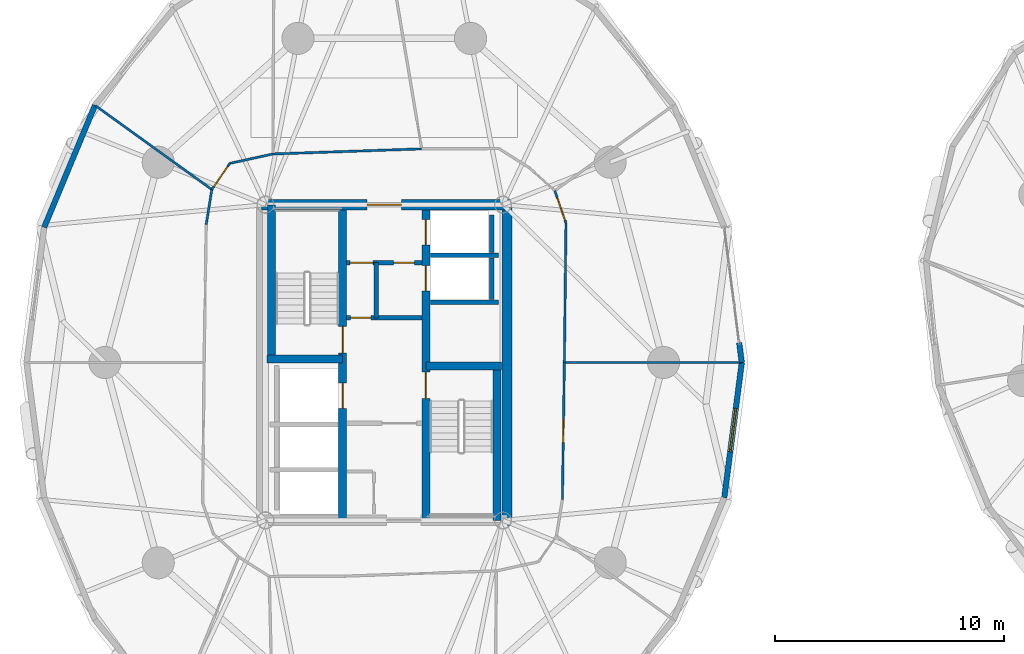
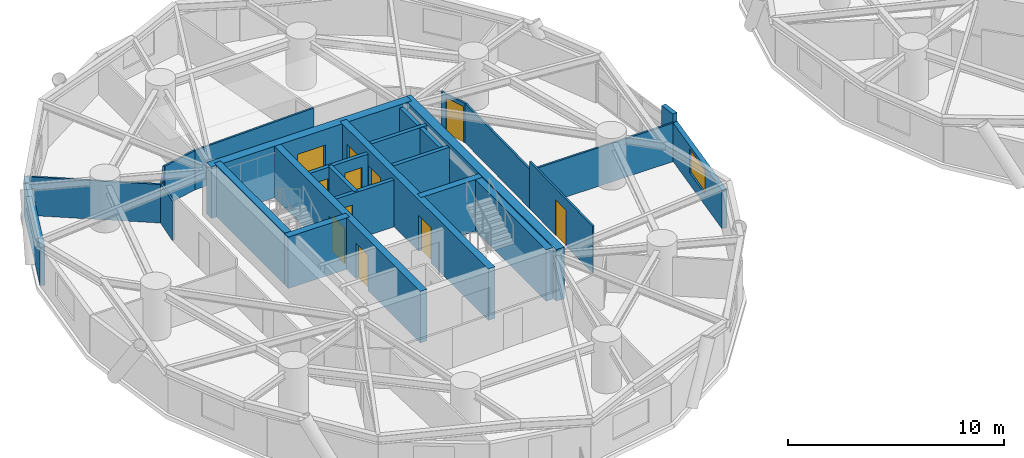
# One storey, part 10 of 17: 27 walls, 12 doors, 1 window, 13 openings.
"""IFC4 building model written with IfcOpenShell, lengths in metres."""

from ifc_helpers import new_model, si_unit, direction, frame, frame_2d, origin, place, context, subcontext, project, spatial, rectangle, extrude, source, transform, mapped, material, layer, layer_set, type_object, element, fill, save


model = new_model("IFC4")

# Units and contexts
model_context = context("Model", 3, precision=1e-05, world=origin(), true_north=direction((0.0, 1.0)))
body_context = subcontext(model_context, "Body", "Model", "MODEL_VIEW")
ifc_project = project(units=[si_unit("LENGTHUNIT", "METRE"), si_unit("AREAUNIT", "SQUARE_METRE"), si_unit("VOLUMEUNIT", "CUBIC_METRE"), si_unit("PLANEANGLEUNIT", "RADIAN"), si_unit("MASSUNIT", "GRAM", prefix="KILO")], contexts=[model_context])

# Site, building, storey
site_placement = place(None, origin())
site = spatial("IfcSite", under=ifc_project, at=site_placement, CompositionType="ELEMENT")
building_placement = place(site_placement, origin())
building = spatial("IfcBuilding", under=site, at=building_placement, Name="Cununo Teusaquillo Station Towers", CompositionType="ELEMENT")
storey_placement = place(building_placement, frame((0.0, 0.0, 96.340087890625)))
storey = spatial("IfcBuildingStorey", under=building, at=storey_placement, Name="L30", CompositionType="ELEMENT", Elevation=96.340087890625)

# Walls
ifc_material_1 = material(Name="Concrete C50/60", Category="concrete")
ifc_layer_1 = layer(ifc_material_1, 0.199951171875)
ifc_layer_set_1 = layer_set([ifc_layer_1], Name="Concrete C50/60")
wall_type_1 = type_object("IfcWallType", Name="WL-CORE-200", PredefinedType="SHEAR", material=ifc_layer_set_1)
for number, where, z_axis, x_axis, name in (
    (1, (18.510009765625, 27.1298828125, 0.0), (0.0, 0.0, 1.0), (1.0, 0.0, 0.0), "L30 Tower A Low-Rise Lift Hoistway South Shear Wall"),
    (2, (18.510009765625, 29.175048828125, 0.0), (0.0, 0.0, 1.0), (1.0, 0.0, 0.0), "L30 Tower A Low-Rise Lift Hoistway Divider Shear Wall"),
):
    element("IfcWall", number, at=place(storey_placement, frame(where, z_axis=z_axis, x_axis=x_axis)), inside=storey, type_object=wall_type_1, Name=name, PredefinedType="SHEAR", context=body_context, shape_type="SweptSolid", body=[
        extrude(rectangle(XDim=2.969970703125, YDim=0.199951171875, at=frame_2d((1.48486328125, 0.0))), origin(), (0.0, 0.0, 1.0), 2.909912109375),
    ])
wall_1_placement = place(storey_placement, frame((21.179931640625, 27.25, 0.0), z_axis=(0.0, 0.0, 1.0), x_axis=(0.0, 1.0, 0.0)))
element("IfcWall", 3, at=wall_1_placement, inside=storey, type_object=wall_type_1, Name="L30 Tower A Low-Rise Lift 1 Shaft Rear Shear Wall", PredefinedType="SHEAR", context=body_context, shape_type="SweptSolid", body=[
    extrude(rectangle(XDim=1.804931640625, YDim=0.199951171875, at=frame_2d((0.90234375, 0.0))), origin(), (0.0, 0.0, 1.0), 2.909912109375),
])
wall_2_placement = place(storey_placement, frame((21.179931640625, 29.294921875, 0.0), z_axis=(0.0, 0.0, 1.0), x_axis=(0.0, 1.0, 0.0)))
element("IfcWall", 4, at=wall_2_placement, inside=storey, type_object=wall_type_1, Name="L30 Tower A Low-Rise Lift 2 Shaft Rear Shear Wall", PredefinedType="SHEAR", context=body_context, shape_type="SweptSolid", body=[
    extrude(rectangle(XDim=1.635009765625, YDim=0.199951171875, at=frame_2d((0.8173828125, 0.0))), origin(), (0.0, 0.0, 1.0), 2.909912109375),
])

# Wall, openings, doors
ifc_material_2 = material(Name="Concrete C50/60", Category="concrete")
ifc_layer_2 = layer(ifc_material_2, 0.35009765625)
ifc_layer_set_2 = layer_set([ifc_layer_2], Name="Concrete C50/60")
wall_type_2 = type_object("IfcWallType", Name="WL-CORE-350", PredefinedType="SHEAR", material=ifc_layer_set_2)
wall_3_placement = place(storey_placement, frame((14.68505859375, 17.625, 0.0), z_axis=(0.0, 0.0, 1.0), x_axis=(0.0, 1.0, 0.0)))
wall_3 = element("IfcWall", 5, at=wall_3_placement, inside=storey, type_object=wall_type_2, Name="L30 Tower A Core Shear Wall IW", PredefinedType="SHEAR", context=body_context, shape_type="SweptSolid", body=[
    extrude(rectangle(XDim=13.75, YDim=0.35009765625, at=frame_2d((6.875, 0.0))), origin(), (0.0, 0.0, 1.0), 2.909912109375),
])
shared_shape_1 = source(origin(), body_context, "Body", "SweptSolid", [
    extrude(rectangle(XDim=1.10009765625, YDim=2.014892578125, at=frame_2d((0.550048828125, 1.00732421875))), frame((0.0, 0.18505859375, 0.0), z_axis=(0.0, -1.0, 0.0), x_axis=(1.0, 0.0, 0.0)), (0.0, 0.0, 1.0), 0.3701171875),
])
opening_1_placement = place(wall_3_placement, frame((4.875, 0.0, 0.0)))
opening_1 = element("IfcOpeningElement", 6, at=opening_1_placement, cuts=wall_3, Name="Opening LD-01", PredefinedType="OPENING", context=body_context, shape_type="MappedRepresentation", body=[
    mapped(shared_shape_1, transform((0.0, 0.0, 0.0), x_axis=(1.0, 0.0, 0.0), y_axis=(0.0, 1.0, 0.0), z_axis=(0.0, 0.0, 1.0), scale=1.0)),
])
shared_shape_2 = source(origin(), body_context, "Body", "SweptSolid", [
    extrude(rectangle(XDim=1.14990234375, YDim=2.02001953125, at=frame_2d((0.574951171875, 1.010009765625))), frame((0.0, 0.18505859375, 0.0), z_axis=(0.0, -1.0, 0.0), x_axis=(1.0, 0.0, 0.0)), (0.0, 0.0, 1.0), 0.3701171875),
])
opening_2_placement = place(wall_3_placement, frame((7.294921875, 0.0, 0.0)))
opening_2 = element("IfcOpeningElement", 7, at=opening_2_placement, cuts=wall_3, Name="Opening D-ST1", PredefinedType="OPENING", context=body_context, shape_type="MappedRepresentation", body=[
    mapped(shared_shape_2, transform((0.0, 0.0, 0.0), x_axis=(1.0, 0.0, 0.0), y_axis=(0.0, 1.0, 0.0), z_axis=(0.0, 0.0, 1.0), scale=1.0)),
])
ifc_material_3 = material(Name="Galvanised fire-rated hollow steel door assembly", Category="steel")
door_type_1 = type_object("IfcDoorType", Name="DR-LIFT-1100", OperationType="SLIDING_TO_LEFT", PredefinedType="DOOR", material=ifc_material_3)
shared_shape_3 = source(origin(), body_context, "Body", "SweptSolid", [
    extrude(rectangle(XDim=1.10009765625, YDim=2.014892578125, at=frame_2d((0.550048828125, 1.00732421875))), frame((0.0, 0.02490234375, 0.0), z_axis=(0.0, -1.0, 0.0), x_axis=(1.0, 0.0, 0.0)), (0.0, 0.0, 1.0), 0.050048828125),
])
door_1_placement = place(opening_1_placement, origin())
door_1 = element("IfcDoor", 8, at=door_1_placement, inside=storey, type_object=door_type_1, Name="L30 Lift FL-T1 Sliding Landing Door", OperationType="SLIDING_TO_LEFT", OverallHeight=2.014892578125, OverallWidth=1.10009765625, PredefinedType="DOOR", context=body_context, shape_type="MappedRepresentation", body=[
    mapped(shared_shape_3, transform((0.0, 0.0, 0.0), x_axis=(1.0, 0.0, 0.0), y_axis=(0.0, 1.0, 0.0), z_axis=(0.0, 0.0, 1.0), scale=1.0)),
])
fill(opening_1, door_1)
ifc_material_4 = material(Name="Galvanised fire-rated hollow steel door assembly", Category="steel")
door_type_2 = type_object("IfcDoorType", Name="DR-STAIR-1150", OperationType="NOTDEFINED", PredefinedType="DOOR", material=ifc_material_4)
shared_shape_4 = source(origin(), body_context, "Body", "SweptSolid", [
    extrude(rectangle(XDim=1.14990234375, YDim=2.02001953125, at=frame_2d((0.574951171875, 1.010009765625))), frame((0.0, 0.02490234375, 0.0), z_axis=(0.0, -1.0, 0.0), x_axis=(1.0, 0.0, 0.0)), (0.0, 0.0, 1.0), 0.050048828125),
])
door_2_placement = place(opening_2_placement, origin())
door_2 = element("IfcDoor", 9, at=door_2_placement, inside=storey, type_object=door_type_2, Name="L30 Tower A Exit Stair 1 Fire Door", OperationType="SINGLE_SWING_RIGHT", OverallHeight=2.02001953125, OverallWidth=1.14990234375, PredefinedType="DOOR", context=body_context, shape_type="MappedRepresentation", body=[
    mapped(shared_shape_4, transform((0.0, 0.0, 0.0), x_axis=(1.0, 0.0, 0.0), y_axis=(0.0, 1.0, 0.0), z_axis=(0.0, 0.0, 1.0), scale=1.0)),
])
fill(opening_2, door_2)

wall_4_placement = place(storey_placement, frame((18.31494140625, 17.625, 0.0), z_axis=(0.0, 0.0, 1.0), x_axis=(0.0, 1.0, 0.0)))
wall_4 = element("IfcWall", 10, at=wall_4_placement, inside=storey, type_object=wall_type_2, Name="L30 Tower A Core Shear Wall IE", PredefinedType="SHEAR", context=body_context, shape_type="SweptSolid", body=[
    extrude(rectangle(XDim=13.75, YDim=0.35009765625, at=frame_2d((6.875, 0.0))), origin(), (0.0, 0.0, 1.0), 2.909912109375),
])
opening_3_placement = place(wall_4_placement, frame((10.0, 0.0, 0.0)))
opening_3 = element("IfcOpeningElement", 11, at=opening_3_placement, cuts=wall_4, Name="Opening LD-01", PredefinedType="OPENING", context=body_context, shape_type="MappedRepresentation", body=[
    mapped(shared_shape_1, transform((0.0, 0.0, 0.0), x_axis=(1.0, 0.0, 0.0), y_axis=(0.0, 1.0, 0.0), z_axis=(0.0, 0.0, 1.0), scale=1.0)),
])
opening_4_placement = place(wall_4_placement, frame((12.0, 0.0, 0.0)))
opening_4 = element("IfcOpeningElement", 12, at=opening_4_placement, cuts=wall_4, Name="Opening LD-01", PredefinedType="OPENING", context=body_context, shape_type="MappedRepresentation", body=[
    mapped(shared_shape_1, transform((0.0, 0.0, 0.0), x_axis=(1.0, 0.0, 0.0), y_axis=(0.0, 1.0, 0.0), z_axis=(0.0, 0.0, 1.0), scale=1.0)),
])
opening_5_placement = place(wall_4_placement, frame((5.304931640625, 0.0, 0.0)))
opening_5 = element("IfcOpeningElement", 13, at=opening_5_placement, cuts=wall_4, Name="Opening D-ST1", PredefinedType="OPENING", context=body_context, shape_type="MappedRepresentation", body=[
    mapped(shared_shape_2, transform((0.0, 0.0, 0.0), x_axis=(1.0, 0.0, 0.0), y_axis=(0.0, 1.0, 0.0), z_axis=(0.0, 0.0, 1.0), scale=1.0)),
])
door_3_placement = place(opening_3_placement, origin())
door_3 = element("IfcDoor", 14, at=door_3_placement, inside=storey, type_object=door_type_1, Name="L30 Lift PL-T1-L1 Sliding Landing Door", OperationType="SLIDING_TO_LEFT", OverallHeight=2.014892578125, OverallWidth=1.10009765625, PredefinedType="DOOR", context=body_context, shape_type="MappedRepresentation", body=[
    mapped(shared_shape_3, transform((0.0, 0.0, 0.0), x_axis=(1.0, 0.0, 0.0), y_axis=(0.0, 1.0, 0.0), z_axis=(0.0, 0.0, 1.0), scale=1.0)),
])
fill(opening_3, door_3)
door_4_placement = place(opening_4_placement, origin())
door_4 = element("IfcDoor", 15, at=door_4_placement, inside=storey, type_object=door_type_1, Name="L30 Lift PL-T1-L2 Sliding Landing Door", OperationType="SLIDING_TO_RIGHT", OverallHeight=2.014892578125, OverallWidth=1.10009765625, PredefinedType="DOOR", context=body_context, shape_type="MappedRepresentation", body=[
    mapped(shared_shape_3, transform((0.0, 0.0, 0.0), x_axis=(1.0, 0.0, 0.0), y_axis=(0.0, 1.0, 0.0), z_axis=(0.0, 0.0, 1.0), scale=1.0)),
])
fill(opening_4, door_4)
door_5_placement = place(opening_5_placement, origin())
door_5 = element("IfcDoor", 16, at=door_5_placement, inside=storey, type_object=door_type_2, Name="L30 Tower A Exit Stair 2 Fire Door", OperationType="SINGLE_SWING_LEFT", OverallHeight=2.02001953125, OverallWidth=1.14990234375, PredefinedType="DOOR", context=body_context, shape_type="MappedRepresentation", body=[
    mapped(shared_shape_4, transform((0.0, 0.0, 0.0), x_axis=(1.0, 0.0, 0.0), y_axis=(0.0, 1.0, 0.0), z_axis=(0.0, 0.0, 1.0), scale=1.0)),
])
fill(opening_5, door_5)

# Walls
wall_5_placement = place(storey_placement, frame((11.594970703125, 24.655029296875, 0.0), z_axis=(0.0, 0.0, 1.0), x_axis=(0.0, 1.0, 0.0)))
element("IfcWall", 17, at=wall_5_placement, inside=storey, type_object=wall_type_2, Name="L30 Tower A Core Shear Wall ST1W", PredefinedType="SHEAR", context=body_context, shape_type="SweptSolid", body=[
    extrude(rectangle(XDim=6.719970703125, YDim=0.35009765625, at=frame_2d((3.35986328125, 0.0))), origin(), (0.0, 0.0, 1.0), 2.909912109375),
])
wall_6_placement = place(storey_placement, frame((11.39990234375, 24.655029296875, 0.0), z_axis=(0.0, 0.0, 1.0), x_axis=(1.0, 0.0, 0.0)))
element("IfcWall", 18, at=wall_6_placement, inside=storey, type_object=wall_type_2, Name="L30 Tower A Core Shear Wall ST1S", PredefinedType="SHEAR", context=body_context, shape_type="SweptSolid", body=[
    extrude(rectangle(XDim=3.28515625, YDim=0.35009765625, at=frame_2d((1.642578125, 0.0))), origin(), (0.0, 0.0, 1.0), 2.909912109375),
])
wall_7_placement = place(storey_placement, frame((21.405029296875, 17.625, 0.0), z_axis=(0.0, 0.0, 1.0), x_axis=(0.0, 1.0, 0.0)))
element("IfcWall", 19, at=wall_7_placement, inside=storey, type_object=wall_type_2, Name="L30 Tower A Core Shear Wall ST2E", PredefinedType="SHEAR", context=body_context, shape_type="SweptSolid", body=[
    extrude(rectangle(XDim=6.719970703125, YDim=0.35009765625, at=frame_2d((3.35986328125, 0.0))), origin(), (0.0, 0.0, 1.0), 2.909912109375),
])
wall_8_placement = place(storey_placement, frame((18.31494140625, 24.344970703125, 0.0), z_axis=(0.0, 0.0, 1.0), x_axis=(1.0, 0.0, 0.0)))
element("IfcWall", 20, at=wall_8_placement, inside=storey, type_object=wall_type_2, Name="L30 Tower A Core Shear Wall ST2N", PredefinedType="SHEAR", context=body_context, shape_type="SweptSolid", body=[
    extrude(rectangle(XDim=3.28515625, YDim=0.35009765625, at=frame_2d((1.642578125, 0.0))), origin(), (0.0, 0.0, 1.0), 2.909912109375),
])
ifc_material_5 = material(Name="Concrete C60/75", Category="concrete")
ifc_layer_3 = layer(ifc_material_5, 0.449951171875)
ifc_layer_set_3 = layer_set([ifc_layer_3], Name="Concrete C60/75")
wall_type_3 = type_object("IfcWallType", Name="WL-CORE-450", PredefinedType="SHEAR", material=ifc_layer_set_3)
wall_9_placement = place(storey_placement, frame((21.85009765625, 17.39990234375, 0.0), z_axis=(0.0, 0.0, 1.0), x_axis=(0.0, 1.0, 0.0)))
element("IfcWall", 21, at=wall_9_placement, inside=storey, type_object=wall_type_3, Name="L30 Tower A Core Shear Wall E", PredefinedType="SHEAR", context=body_context, shape_type="SweptSolid", body=[
    extrude(rectangle(XDim=14.2001953125, YDim=0.449951171875, at=frame_2d((7.10009765625, 0.0))), origin(), (0.0, 0.0, 1.0), 2.909912109375),
])

# Wall, opening, door
wall_10_placement = place(storey_placement, frame((11.14990234375, 31.375, 0.0), z_axis=(0.0, 0.0, 1.0), x_axis=(1.0, 0.0, 0.0)))
wall_10 = element("IfcWall", 22, at=wall_10_placement, inside=storey, type_object=wall_type_3, Name="L30 Tower A Core Shear Wall N", PredefinedType="SHEAR", context=body_context, shape_type="SweptSolid", body=[
    extrude(rectangle(XDim=10.7001953125, YDim=0.449951171875, at=frame_2d((5.35009765625, 0.0))), origin(), (0.0, 0.0, 1.0), 2.909912109375),
])
shared_shape_5 = source(origin(), body_context, "Body", "SweptSolid", [
    extrude(rectangle(XDim=1.5, YDim=2.02001953125, at=frame_2d((0.75, 1.010009765625))), frame((0.0, 0.23486328125, 0.0), z_axis=(0.0, -1.0, 0.0), x_axis=(1.0, 0.0, 0.0)), (0.0, 0.0, 1.0), 0.469970703125),
])
opening_6_placement = place(wall_10_placement, frame((4.60009765625, 0.0, 0.0)))
opening_6 = element("IfcOpeningElement", 23, at=opening_6_placement, cuts=wall_10, Name="Opening D-LB1", PredefinedType="OPENING", context=body_context, shape_type="MappedRepresentation", body=[
    mapped(shared_shape_5, transform((0.0, 0.0, 0.0), x_axis=(1.0, 0.0, 0.0), y_axis=(0.0, 1.0, 0.0), z_axis=(0.0, 0.0, 1.0), scale=1.0)),
])
ifc_material_6 = material(Name="Galvanised fire-rated hollow steel door assembly", Category="steel")
door_type_3 = type_object("IfcDoorType", Name="DR-LOBBY-1500", OperationType="DOUBLE_DOOR_SINGLE_SWING", PredefinedType="DOOR", material=ifc_material_6)
shared_shape_6 = source(origin(), body_context, "Body", "SweptSolid", [
    extrude(rectangle(XDim=1.5, YDim=2.02001953125, at=frame_2d((0.75, 1.010009765625))), frame((0.0, 0.02490234375, 0.0), z_axis=(0.0, -1.0, 0.0), x_axis=(1.0, 0.0, 0.0)), (0.0, 0.0, 1.0), 0.050048828125),
])
door_6_placement = place(opening_6_placement, origin())
door_6 = element("IfcDoor", 24, at=door_6_placement, inside=storey, type_object=door_type_3, Name="L30 Tower A North Core Lift Lobby Door", OperationType="DOUBLE_DOOR_SINGLE_SWING", OverallHeight=2.02001953125, OverallWidth=1.5, PredefinedType="DOOR", context=body_context, shape_type="MappedRepresentation", body=[
    mapped(shared_shape_6, transform((0.0, 0.0, 0.0), x_axis=(1.0, 0.0, 0.0), y_axis=(0.0, 1.0, 0.0), z_axis=(0.0, 0.0, 1.0), scale=1.0)),
])
fill(opening_6, door_6)

# Walls
ifc_material_7 = material(Name="Precast concrete C40/50", Category="concrete")
ifc_layer_4 = layer(ifc_material_7, 0.239990234375)
ifc_layer_set_4 = layer_set([ifc_layer_4], Name="Precast concrete C40/50")
wall_type_4 = type_object("IfcWallType", Name="WL-EXT-240", PredefinedType="SOLIDWALL", material=ifc_layer_set_4)
wall_11_placement = place(storey_placement, frame((31.96923828125, 25.36279296875, 0.0), z_axis=(0.0, 0.0, 1.0), x_axis=(0.128523364007, -0.991706481225, 0.0)))
element("IfcWall", 25, at=wall_11_placement, inside=storey, type_object=wall_type_4, Name="L30 Tower A Column Pier Cladding Wall C00-PB", PredefinedType="SOLIDWALL", context=body_context, shape_type="SweptSolid", body=[
    extrude(rectangle(XDim=0.8701171875, YDim=0.239990234375, at=frame_2d((0.43505859375, 0.0))), origin(), (0.0, 0.0, 1.0), 2.655029296875),
])
wall_12_placement = place(storey_placement, frame((1.681640625, 30.39306640625, 0.0), z_axis=(0.0, 0.0, 1.0), x_axis=(0.384344417632, 0.923189779317, 0.0)))
element("IfcWall", 26, at=wall_12_placement, inside=storey, type_object=wall_type_4, Name="L30 Tower A Exterior Facade Wall C08", PredefinedType="SOLIDWALL", context=body_context, shape_type="SweptSolid", body=[
    extrude(rectangle(XDim=5.75830078125, YDim=0.239990234375, at=frame_2d((2.879150390625, 0.0))), origin(), (0.0, 0.0, 1.0), 2.178955078125),
])

# Wall, opening, window
wall_13_placement = place(storey_placement, frame((32.0810546875, 24.5, 0.0), z_axis=(0.0, 0.0, 1.0), x_axis=(-0.128351991996, -0.991728675672, 0.0)))
wall_13 = element("IfcWall", 27, at=wall_13_placement, inside=storey, type_object=wall_type_4, Name="L30 Tower A Exterior Facade Wall C19", PredefinedType="SOLIDWALL", context=body_context, shape_type="SweptSolid", body=[
    extrude(rectangle(XDim=5.942138671875, YDim=0.239990234375, at=frame_2d((2.97119140625, 0.0))), origin(), (0.0, 0.0, 1.0), 2.178955078125),
])
shared_shape_7 = source(origin(), body_context, "Body", "SweptSolid", [
    extrude(rectangle(XDim=1.89990234375, YDim=1.35009765625, at=frame_2d((0.949951171875, 0.675048828125))), frame((0.0, 0.1298828125, 0.0), z_axis=(0.0, -1.0, 0.0), x_axis=(1.0, 0.0, 0.0)), (0.0, 0.0, 1.0), 0.260009765625),
])
opening_7_placement = place(wall_13_placement, frame((2.02099609375, 0.0, 0.64990234375)))
opening_7 = element("IfcOpeningElement", 28, at=opening_7_placement, cuts=wall_13, Name="Opening WN-02", PredefinedType="OPENING", context=body_context, shape_type="MappedRepresentation", body=[
    mapped(shared_shape_7, transform((0.0, 0.0, 0.0), x_axis=(1.0, 0.0, 0.0), y_axis=(0.0, 1.0, 0.0), z_axis=(0.0, 0.0, 1.0), scale=1.0)),
])
ifc_material_8 = material(Name="Operable acoustic tinted low-E double glazing", Category="glass")
window_type = type_object("IfcWindowType", Name="WIN-OPER-1900", PartitioningType="DOUBLE_PANEL_VERTICAL", PredefinedType="WINDOW", material=ifc_material_8)
shared_shape_8 = source(origin(), body_context, "Body", "SweptSolid", [
    extrude(rectangle(XDim=1.89990234375, YDim=1.35009765625, at=frame_2d((0.949951171875, 0.675048828125))), frame((0.0, 0.030029296875, 0.0), z_axis=(0.0, -1.0, 0.0), x_axis=(1.0, 0.0, 0.0)), (0.0, 0.0, 1.0), 0.06005859375),
])
window_placement = place(opening_7_placement, origin())
window = element("IfcWindow", 29, at=window_placement, inside=storey, type_object=window_type, Name="L30 Tower A Facade Window C19", OverallHeight=1.35009765625, OverallWidth=1.89990234375, PartitioningType="DOUBLE_PANEL_VERTICAL", PredefinedType="WINDOW", context=body_context, shape_type="MappedRepresentation", body=[
    mapped(shared_shape_8, transform((0.0, 0.0, 0.0), x_axis=(1.0, 0.0, 0.0), y_axis=(0.0, 1.0, 0.0), z_axis=(0.0, 0.0, 1.0), scale=1.0)),
])
fill(opening_7, window)

# Wall
ifc_material_9 = material(Name="Fire-rated gypsum plasterboard partition assembly", Category="gypsum")
ifc_layer_5 = layer(ifc_material_9, 0.10009765625)
ifc_layer_set_5 = layer_set([ifc_layer_5], Name="Fire-rated gypsum plasterboard partition assembly")
wall_type_5 = type_object("IfcWallType", Name="WL-PART-100", PredefinedType="MOVABLE", material=ifc_layer_set_5)
wall_14_placement = place(storey_placement, frame((24.35009765625, 24.5, 0.0), z_axis=(0.0, 0.0, 1.0), x_axis=(0.011520250275, 0.999933639715, 0.0)))
element("IfcWall", 30, at=wall_14_placement, inside=storey, type_object=wall_type_5, Name="L30 Tower A Corridor Ring Wall C00", PredefinedType="MOVABLE", context=body_context, shape_type="SweptSolid", body=[
    extrude(rectangle(XDim=6.082275390625, YDim=0.10009765625, at=frame_2d((3.041015625, 0.0))), origin(), (0.0, 0.0, 1.0), 2.224853515625),
])

# Wall, opening, door
wall_15_placement = place(storey_placement, frame((24.420166015625, 30.581787109375, 0.0), z_axis=(0.0, 0.0, 1.0), x_axis=(-0.327437665675, 0.944872782494, 0.0)))
wall_15 = element("IfcWall", 31, at=wall_15_placement, inside=storey, type_object=wall_type_5, Name="L30 Tower A Corridor Ring Wall C01", PredefinedType="MOVABLE", context=body_context, shape_type="SweptSolid", body=[
    extrude(rectangle(XDim=1.48681640625, YDim=0.10009765625, at=frame_2d((0.743408203125, 0.0))), origin(), (0.0, 0.0, 1.0), 2.224853515625),
])
shared_shape_9 = source(origin(), body_context, "Body", "SweptSolid", [
    extrude(rectangle(XDim=1.050048828125, YDim=2.014892578125, at=frame_2d((0.52490234375, 1.00732421875))), frame((0.0, 0.06005859375, 0.0), z_axis=(0.0, -1.0, 0.0), x_axis=(1.0, 0.0, 0.0)), (0.0, 0.0, 1.0), 0.1201171875),
])
opening_8_placement = place(wall_15_placement, frame((0.1201171875, 0.0, 0.0)))
opening_8 = element("IfcOpeningElement", 32, at=opening_8_placement, cuts=wall_15, Name="Opening D-SU1", PredefinedType="OPENING", context=body_context, shape_type="MappedRepresentation", body=[
    mapped(shared_shape_9, transform((0.0, 0.0, 0.0), x_axis=(1.0, 0.0, 0.0), y_axis=(0.0, 1.0, 0.0), z_axis=(0.0, 0.0, 1.0), scale=1.0)),
])
ifc_material_10 = material(Name="Acoustic solid-core hardwood leaf assembly", Category="wood")
door_type_4 = type_object("IfcDoorType", Name="DR-SUITE-1050", OperationType="NOTDEFINED", PredefinedType="DOOR", material=ifc_material_10)
shared_shape_10 = source(origin(), body_context, "Body", "SweptSolid", [
    extrude(rectangle(XDim=1.050048828125, YDim=2.014892578125, at=frame_2d((0.52490234375, 1.00732421875))), frame((0.0, 0.02490234375, 0.0), z_axis=(0.0, -1.0, 0.0), x_axis=(1.0, 0.0, 0.0)), (0.0, 0.0, 1.0), 0.050048828125),
])
door_7_placement = place(opening_8_placement, origin())
door_7 = element("IfcDoor", 33, at=door_7_placement, inside=storey, type_object=door_type_4, Name="L30 Tower A Equities & Carbon Desk Trading Hall Entrance Door", OperationType="SINGLE_SWING_RIGHT", OverallHeight=2.014892578125, OverallWidth=1.050048828125, PredefinedType="DOOR", context=body_context, shape_type="MappedRepresentation", body=[
    mapped(shared_shape_10, transform((0.0, 0.0, 0.0), x_axis=(1.0, 0.0, 0.0), y_axis=(0.0, 1.0, 0.0), z_axis=(0.0, 0.0, 1.0), scale=1.0)),
])
fill(opening_8, door_7)

# Walls
wall_16_placement = place(storey_placement, frame((18.1328125, 33.8095703125, 0.0), z_axis=(0.0, 0.0, 1.0), x_axis=(-0.999415793323, -0.03417706916, 0.0)))
element("IfcWall", 34, at=wall_16_placement, inside=storey, type_object=wall_type_5, Name="L30 Tower A Corridor Ring Wall C05", PredefinedType="MOVABLE", context=body_context, shape_type="SweptSolid", body=[
    extrude(rectangle(XDim=6.486328125, YDim=0.10009765625, at=frame_2d((3.2431640625, 0.0))), origin(), (0.0, 0.0, 1.0), 2.224853515625),
])
wall_17_placement = place(storey_placement, frame((11.650390625, 33.587890625, 0.0), z_axis=(0.0, 0.0, 1.0), x_axis=(-0.977141987047, -0.212587716366, 0.0)))
element("IfcWall", 35, at=wall_17_placement, inside=storey, type_object=wall_type_5, Name="L30 Tower A Corridor Ring Wall C06", PredefinedType="MOVABLE", context=body_context, shape_type="SweptSolid", body=[
    extrude(rectangle(XDim=1.923583984375, YDim=0.10009765625, at=frame_2d((0.9619140625, 0.0))), origin(), (0.0, 0.0, 1.0), 2.224853515625),
])

# Wall, opening, door
wall_18_placement = place(storey_placement, frame((9.770751953125, 33.178955078125, 0.0), z_axis=(0.0, 0.0, 1.0), x_axis=(-0.56664857412, -0.823959582412, 0.0)))
wall_18 = element("IfcWall", 36, at=wall_18_placement, inside=storey, type_object=wall_type_5, Name="L30 Tower A Corridor Ring Wall C07", PredefinedType="MOVABLE", context=body_context, shape_type="SweptSolid", body=[
    extrude(rectangle(XDim=1.38427734375, YDim=0.10009765625, at=frame_2d((0.692138671875, 0.0))), origin(), (0.0, 0.0, 1.0), 2.224853515625),
])
opening_9_placement = place(wall_18_placement, frame((0.167236328125, 0.0, 0.0)))
opening_9 = element("IfcOpeningElement", 37, at=opening_9_placement, cuts=wall_18, Name="Opening D-SU1", PredefinedType="OPENING", context=body_context, shape_type="MappedRepresentation", body=[
    mapped(shared_shape_9, transform((0.0, 0.0, 0.0), x_axis=(1.0, 0.0, 0.0), y_axis=(0.0, 1.0, 0.0), z_axis=(0.0, 0.0, 1.0), scale=1.0)),
])
door_8_placement = place(opening_9_placement, origin())
door_8 = element("IfcDoor", 38, at=door_8_placement, inside=storey, type_object=door_type_4, Name="L30 Tower A Compliance & Audit Office Entrance Door", OperationType="SINGLE_SWING_LEFT", OverallHeight=2.014892578125, OverallWidth=1.050048828125, PredefinedType="DOOR", context=body_context, shape_type="MappedRepresentation", body=[
    mapped(shared_shape_10, transform((0.0, 0.0, 0.0), x_axis=(1.0, 0.0, 0.0), y_axis=(0.0, 1.0, 0.0), z_axis=(0.0, 0.0, 1.0), scale=1.0)),
])
fill(opening_9, door_8)

# Wall
wall_19_placement = place(storey_placement, frame((8.986328125, 32.038330078125, 0.0), z_axis=(0.0, 0.0, 1.0), x_axis=(-0.158224526738, -0.987403159372, 0.0)))
element("IfcWall", 39, at=wall_19_placement, inside=storey, type_object=wall_type_5, Name="L30 Tower A Corridor Ring Wall C08", PredefinedType="MOVABLE", context=body_context, shape_type="SweptSolid", body=[
    extrude(rectangle(XDim=1.546142578125, YDim=0.10009765625, at=frame_2d((0.77294921875, 0.0))), origin(), (0.0, 0.0, 1.0), 2.224853515625),
])

# Wall, opening, door
wall_20_placement = place(storey_placement, frame((24.264404296875, 18.52880859375, 0.0), z_axis=(0.0, 0.0, 1.0), x_axis=(0.014349654938, 0.999897038401, 0.0)))
wall_20 = element("IfcWall", 40, at=wall_20_placement, inside=storey, type_object=wall_type_5, Name="L30 Tower A Corridor Ring Wall C19", PredefinedType="MOVABLE", context=body_context, shape_type="SweptSolid", body=[
    extrude(rectangle(XDim=5.971923828125, YDim=0.10009765625, at=frame_2d((2.98583984375, 0.0))), origin(), (0.0, 0.0, 1.0), 2.655029296875),
])
shared_shape_11 = source(origin(), body_context, "Body", "SweptSolid", [
    extrude(rectangle(XDim=1.0, YDim=2.014892578125, at=frame_2d((0.5, 1.00732421875))), frame((0.0, 0.06005859375, 0.0), z_axis=(0.0, -1.0, 0.0), x_axis=(1.0, 0.0, 0.0)), (0.0, 0.0, 1.0), 0.1201171875),
])
opening_10_placement = place(wall_20_placement, frame((2.486083984375, 0.0, 0.0)))
opening_10 = element("IfcOpeningElement", 41, at=opening_10_placement, cuts=wall_20, Name="Opening D-AC1", PredefinedType="OPENING", context=body_context, shape_type="MappedRepresentation", body=[
    mapped(shared_shape_11, transform((0.0, 0.0, 0.0), x_axis=(1.0, 0.0, 0.0), y_axis=(0.0, 1.0, 0.0), z_axis=(0.0, 0.0, 1.0), scale=1.0)),
])
ifc_material_11 = material(Name="Acoustic solid-core hardwood leaf assembly", Category="wood")
door_type_5 = type_object("IfcDoorType", Name="DR-ACC-1000", OperationType="NOTDEFINED", PredefinedType="DOOR", material=ifc_material_11)
shared_shape_12 = source(origin(), body_context, "Body", "SweptSolid", [
    extrude(rectangle(XDim=1.0, YDim=2.014892578125, at=frame_2d((0.5, 1.00732421875))), frame((0.0, 0.02490234375, 0.0), z_axis=(0.0, -1.0, 0.0), x_axis=(1.0, 0.0, 0.0)), (0.0, 0.0, 1.0), 0.050048828125),
])
door_9_placement = place(opening_10_placement, origin())
door_9 = element("IfcDoor", 42, at=door_9_placement, inside=storey, type_object=door_type_5, Name="L30 Tower A Public Accessible Restroom WC Entrance Door", OperationType="SINGLE_SWING_LEFT", OverallHeight=2.014892578125, OverallWidth=1.0, PredefinedType="DOOR", context=body_context, shape_type="MappedRepresentation", body=[
    mapped(shared_shape_12, transform((0.0, 0.0, 0.0), x_axis=(1.0, 0.0, 0.0), y_axis=(0.0, 1.0, 0.0), z_axis=(0.0, 0.0, 1.0), scale=1.0)),
])
fill(opening_10, door_9)

# Walls
wall_21_placement = place(storey_placement, frame((24.35009765625, 24.5, 0.0), z_axis=(0.0, 0.0, 1.0), x_axis=(1.0, 0.0, 0.0)))
element("IfcWall", 43, at=wall_21_placement, inside=storey, type_object=wall_type_5, Name="L30 Tower A Radial Suite Partition R01", PredefinedType="MOVABLE", context=body_context, shape_type="SweptSolid", body=[
    extrude(rectangle(XDim=7.7109375, YDim=0.10009765625, at=frame_2d((3.85546875, 0.0))), origin(), (0.0, 0.0, 1.0), 2.178955078125),
])
wall_22_placement = place(storey_placement, frame((8.986328125, 32.038330078125, 0.0), z_axis=(0.0, 0.0, 1.0), x_axis=(-0.811184127106, 0.584790827502, 0.0)))
element("IfcWall", 44, at=wall_22_placement, inside=storey, type_object=wall_type_5, Name="L30 Tower A Radial Suite Partition R04", PredefinedType="MOVABLE", context=body_context, shape_type="SweptSolid", body=[
    extrude(rectangle(XDim=6.2568359375, YDim=0.10009765625, at=frame_2d((3.12841796875, 0.0))), origin(), (0.0, 0.0, 1.0), 2.178955078125),
])

# Wall, opening, door
ifc_material_12 = material(Name="Fire-rated gypsum plasterboard partition assembly", Category="gypsum")
ifc_layer_6 = layer(ifc_material_12, 0.199951171875)
ifc_layer_set_6 = layer_set([ifc_layer_6], Name="Fire-rated gypsum plasterboard partition assembly")
wall_type_6 = type_object("IfcWallType", Name="WL-PART-200", PredefinedType="PARTITIONING", material=ifc_layer_set_6)
wall_23_placement = place(storey_placement, frame((14.860107421875, 26.449951171875, 0.0), z_axis=(0.0, 0.0, 1.0), x_axis=(1.0, 0.0, 0.0)))
wall_23 = element("IfcWall", 45, at=wall_23_placement, inside=storey, type_object=wall_type_6, Name="L30 Tower A Firefighting Lift Lobby North Fire Wall", PredefinedType="PARTITIONING", context=body_context, shape_type="SweptSolid", body=[
    extrude(rectangle(XDim=3.27978515625, YDim=0.199951171875, at=frame_2d((1.639892578125, 0.0))), origin(), (0.0, 0.0, 1.0), 2.655029296875),
])
shared_shape_13 = source(origin(), body_context, "Body", "SweptSolid", [
    extrude(rectangle(XDim=0.89990234375, YDim=2.0048828125, at=frame_2d((0.449951171875, 1.00244140625))), frame((0.0, 0.10986328125, 0.0), z_axis=(0.0, -1.0, 0.0), x_axis=(1.0, 0.0, 0.0)), (0.0, 0.0, 1.0), 0.219970703125),
])
opening_11_placement = place(wall_23_placement, frame((0.159912109375, 0.0, 0.0)))
opening_11 = element("IfcOpeningElement", 46, at=opening_11_placement, cuts=wall_23, Name="Opening D-SR1", PredefinedType="OPENING", context=body_context, shape_type="MappedRepresentation", body=[
    mapped(shared_shape_13, transform((0.0, 0.0, 0.0), x_axis=(1.0, 0.0, 0.0), y_axis=(0.0, 1.0, 0.0), z_axis=(0.0, 0.0, 1.0), scale=1.0)),
])
ifc_material_13 = material(Name="Galvanised fire-rated hollow steel door assembly", Category="steel")
door_type_6 = type_object("IfcDoorType", Name="DR-STORE-900", OperationType="NOTDEFINED", PredefinedType="DOOR", material=ifc_material_13)
shared_shape_14 = source(origin(), body_context, "Body", "SweptSolid", [
    extrude(rectangle(XDim=0.89990234375, YDim=2.0048828125, at=frame_2d((0.449951171875, 1.00244140625))), frame((0.0, 0.02490234375, 0.0), z_axis=(0.0, -1.0, 0.0), x_axis=(1.0, 0.0, 0.0)), (0.0, 0.0, 1.0), 0.050048828125),
])
door_10_placement = place(opening_11_placement, origin())
door_10 = element("IfcDoor", 47, at=door_10_placement, inside=storey, type_object=door_type_6, Name="L30 Tower A Stair 1 Protected Vestibule South Door", OperationType="SINGLE_SWING_RIGHT", OverallHeight=2.0048828125, OverallWidth=0.89990234375, PredefinedType="DOOR", context=body_context, shape_type="MappedRepresentation", body=[
    mapped(shared_shape_14, transform((0.0, 0.0, 0.0), x_axis=(1.0, 0.0, 0.0), y_axis=(0.0, 1.0, 0.0), z_axis=(0.0, 0.0, 1.0), scale=1.0)),
])
fill(opening_11, door_10)

# Wall
wall_24_placement = place(storey_placement, frame((16.14990234375, 26.449951171875, 0.0), z_axis=(0.0, 0.0, 1.0), x_axis=(0.0, 1.0, 0.0)))
element("IfcWall", 48, at=wall_24_placement, inside=storey, type_object=wall_type_6, Name="L30 Tower A Stair 1 Vestibule Partition Wall", PredefinedType="PARTITIONING", context=body_context, shape_type="SweptSolid", body=[
    extrude(rectangle(XDim=2.400146484375, YDim=0.199951171875, at=frame_2d((1.2001953125, 0.0))), origin(), (0.0, 0.0, 1.0), 2.655029296875),
])

# Wall, openings, doors
wall_25_placement = place(storey_placement, frame((14.860107421875, 28.85009765625, 0.0), z_axis=(0.0, 0.0, 1.0), x_axis=(1.0, 0.0, 0.0)))
wall_25 = element("IfcWall", 49, at=wall_25_placement, inside=storey, type_object=wall_type_6, Name="L30 Tower A North Lift Lobby South Fire Wall", PredefinedType="PARTITIONING", context=body_context, shape_type="SweptSolid", body=[
    extrude(rectangle(XDim=3.27978515625, YDim=0.199951171875, at=frame_2d((1.639892578125, 0.0))), origin(), (0.0, 0.0, 1.0), 2.655029296875),
])
shared_shape_15 = source(origin(), body_context, "Body", "SweptSolid", [
    extrude(rectangle(XDim=1.0, YDim=2.014892578125, at=frame_2d((0.5, 1.00732421875))), frame((0.0, 0.10986328125, 0.0), z_axis=(0.0, -1.0, 0.0), x_axis=(1.0, 0.0, 0.0)), (0.0, 0.0, 1.0), 0.219970703125),
])
opening_12_placement = place(wall_25_placement, frame((0.139892578125, 0.0, 0.0)))
opening_12 = element("IfcOpeningElement", 50, at=opening_12_placement, cuts=wall_25, Name="Opening D-AC1", PredefinedType="OPENING", context=body_context, shape_type="MappedRepresentation", body=[
    mapped(shared_shape_15, transform((0.0, 0.0, 0.0), x_axis=(1.0, 0.0, 0.0), y_axis=(0.0, 1.0, 0.0), z_axis=(0.0, 0.0, 1.0), scale=1.0)),
])
opening_13_placement = place(wall_25_placement, frame((2.050048828125, 0.0, 0.0)))
opening_13 = element("IfcOpeningElement", 51, at=opening_13_placement, cuts=wall_25, Name="Opening D-SR1", PredefinedType="OPENING", context=body_context, shape_type="MappedRepresentation", body=[
    mapped(shared_shape_13, transform((0.0, 0.0, 0.0), x_axis=(1.0, 0.0, 0.0), y_axis=(0.0, 1.0, 0.0), z_axis=(0.0, 0.0, 1.0), scale=1.0)),
])
door_11_placement = place(opening_13_placement, origin())
door_11 = element("IfcDoor", 52, at=door_11_placement, inside=storey, type_object=door_type_6, Name="L30 Tower A Core Housekeeping & Linen Store Door", OperationType="SINGLE_SWING_LEFT", OverallHeight=2.0048828125, OverallWidth=0.89990234375, PredefinedType="DOOR", context=body_context, shape_type="MappedRepresentation", body=[
    mapped(shared_shape_14, transform((0.0, 0.0, 0.0), x_axis=(1.0, 0.0, 0.0), y_axis=(0.0, 1.0, 0.0), z_axis=(0.0, 0.0, 1.0), scale=1.0)),
])
fill(opening_13, door_11)
door_12_placement = place(opening_12_placement, origin())
door_12 = element("IfcDoor", 53, at=door_12_placement, inside=storey, type_object=door_type_5, Name="L30 Tower A North Lift Lobby to Stair 1 Vestibule Door", OperationType="SINGLE_SWING_LEFT", OverallHeight=2.014892578125, OverallWidth=1.0, PredefinedType="DOOR", context=body_context, shape_type="MappedRepresentation", body=[
    mapped(shared_shape_12, transform((0.0, 0.0, 0.0), x_axis=(1.0, 0.0, 0.0), y_axis=(0.0, 1.0, 0.0), z_axis=(0.0, 0.0, 1.0), scale=1.0)),
])
fill(opening_12, door_12)

save(model, "model.ifc")
